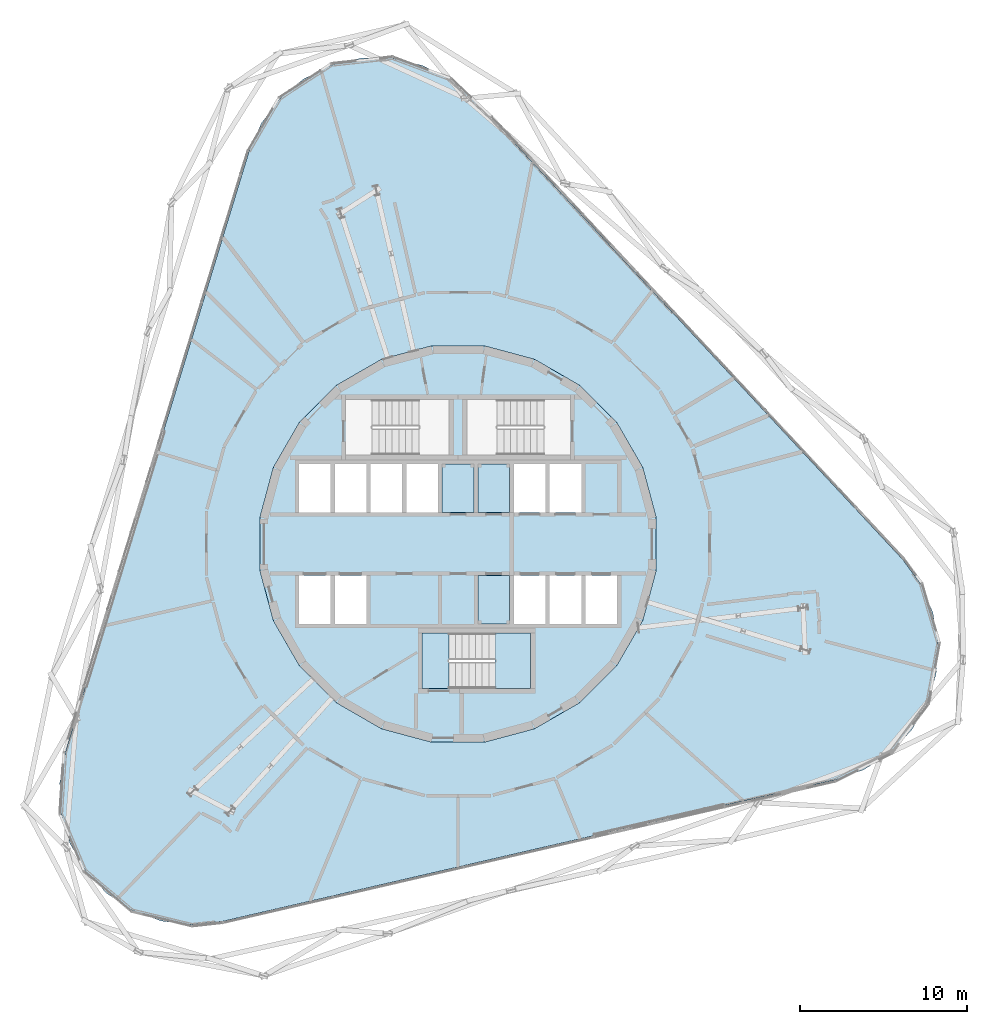
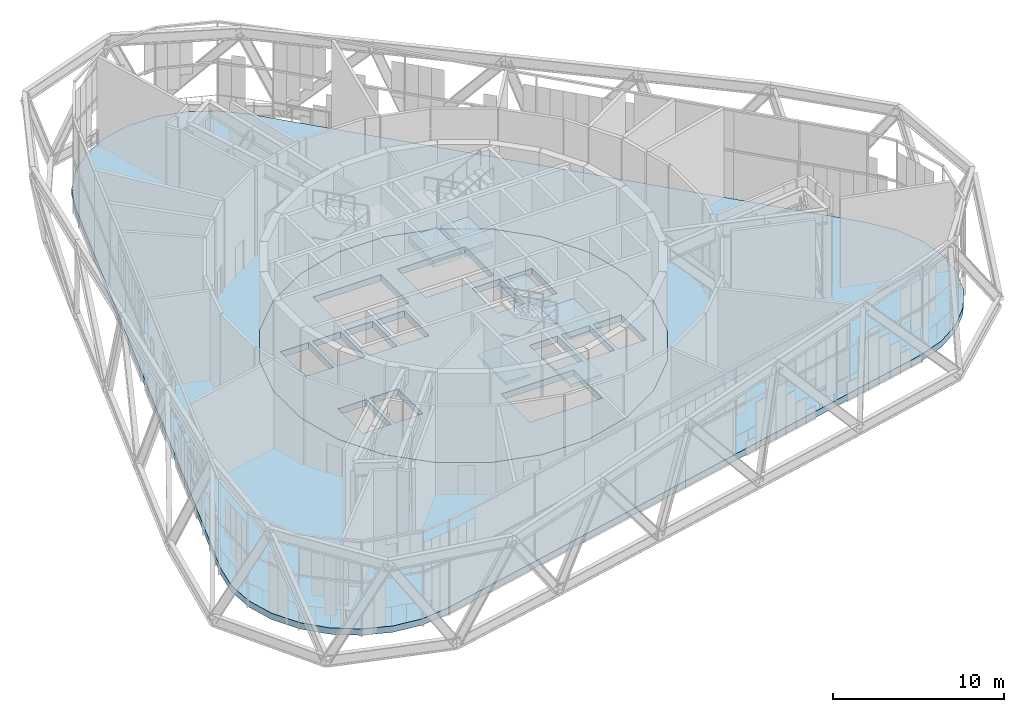
# One storey, part 12 of 25: 8 slabs, 1 element without a shape of its own.
"""IFC4 building model written with IfcOpenShell, lengths in metres."""

from ifc_helpers import new_model, si_unit, direction, frame, origin, place, context, subcontext, project, spatial, polyline, outline, extrude, material, layer, layer_set, type_object, element, aggregate, save


model = new_model("IFC4")

# Units and contexts
model_context = context("Model", 3, precision=1e-05, world=origin(), true_north=direction((0.0, 1.0)))
body_context = subcontext(model_context, "Body", "Model", "MODEL_VIEW")
ifc_project = project(units=[si_unit("LENGTHUNIT", "METRE"), si_unit("AREAUNIT", "SQUARE_METRE"), si_unit("VOLUMEUNIT", "CUBIC_METRE"), si_unit("PLANEANGLEUNIT", "RADIAN"), si_unit("MASSUNIT", "GRAM", prefix="KILO")], contexts=[model_context])

# Site, building, storey
site_placement = place(None, origin())
site = spatial("IfcSite", under=ifc_project, at=site_placement, CompositionType="ELEMENT")
building_placement = place(site_placement, origin())
building = spatial("IfcBuilding", under=site, at=building_placement, Name="Spindle Arch Residences", CompositionType="ELEMENT")
storey_placement = place(building_placement, frame((0.0, 0.0, 144.89990234375)))
storey = spatial("IfcBuildingStorey", under=building, at=storey_placement, Name="L36", CompositionType="ELEMENT", Elevation=144.89990234375)

# Slabs
ifc_material_1 = material(Name="Concrete C40/50", Category="concrete")
ifc_layer_1 = layer(ifc_material_1, 0.449951171875)
ifc_layer_set_1 = layer_set([ifc_layer_1], Name="Compartment floor slab 450")
slab_type_1 = type_object("IfcSlabType", Name="Compartment floor slab 450", PredefinedType="FLOOR", material=ifc_layer_set_1)
slab_1_placement = place(storey_placement, frame((0.0, 0.0, -0.449951171875)))
element("IfcSlab", 1, at=slab_1_placement, inside=storey, type_object=slab_type_1, Name="Floor slab L36", PredefinedType="FLOOR", context=body_context, shape_type="SweptSolid", body=[
    extrude(outline(polyline([(-14.130615234375, -22.650146484375), (-15.976806640625, -22.85498046875), (-17.8203125, -22.628662109375), (-19.56201171875, -21.983154296875), (-21.108154296875, -20.95361328125), (-22.375, -19.594970703125), (-23.294189453125, -17.98095703125), (-23.816650390625, -16.198486328125), (-23.913818359375, -14.343505859375), (-23.58056640625, -12.51611328125), (-12.55029296875, 23.5625), (-11.8046875, 25.263916015625), (-10.686767578125, 26.747314453125), (-9.257080078125, 27.932861328125), (-7.59228515625, 28.7568359375), (-5.7822265625, 29.1748046875), (-3.9248046875, 29.163818359375), (-2.1201171875, 28.72509765625), (-0.465087890625, 27.881591796875), (0.950927734375, 26.679443359375), (26.680908203125, -0.912353515625), (27.781494140625, -2.40869140625), (28.507080078125, -4.11865234375), (28.819091796875, -5.94970703125), (28.7001953125, -7.803466796875), (28.1572265625, -9.57958984375), (27.218994140625, -11.182861328125), (25.9365234375, -12.526611328125), (24.37890625, -13.5380859375), (22.629638671875, -14.163330078125), (4.24951171875, -18.40673828125), (-14.130615234375, -22.650146484375)]), holes=[polyline([(4.59228515625, -11.086669921875), (7.30517578125, -9.520263671875), (9.520263671875, -7.30517578125), (11.086669921875, -4.59228515625), (11.897216796875, -1.56640625), (11.897216796875, 1.56640625), (11.086669921875, 4.59228515625), (9.520263671875, 7.30517578125), (7.30517578125, 9.520263671875), (4.59228515625, 11.086669921875), (1.56640625, 11.897216796875), (-1.56640625, 11.897216796875), (-4.59228515625, 11.086669921875), (-7.30517578125, 9.520263671875), (-9.520263671875, 7.30517578125), (-11.086669921875, 4.59228515625), (-11.897216796875, 1.56640625), (-11.897216796875, -1.56640625), (-11.086669921875, -4.59228515625), (-9.520263671875, -7.30517578125), (-7.30517578125, -9.520263671875), (-4.59228515625, -11.086669921875), (-1.56640625, -11.897216796875), (1.56640625, -11.897216796875), (4.59228515625, -11.086669921875)])]), origin(), (0.0, 0.0, 1.0), 0.449951171875),
])
ifc_material_2 = material(Name="Concrete C50/60", Category="concrete")
ifc_layer_2 = layer(ifc_material_2, 0.449951171875)
ifc_layer_set_2 = layer_set([ifc_layer_2], Name="Core floor slab 450")
slab_type_2 = type_object("IfcSlabType", Name="Core floor slab 450", PredefinedType="FLOOR", material=ifc_layer_set_2)
slab_2_placement = place(storey_placement, frame((0.0, 0.0, -0.449951171875)))
element("IfcSlab", 2, at=slab_2_placement, inside=storey, type_object=slab_type_2, Name="Core floor L36", PredefinedType="FLOOR", context=body_context, shape_type="SweptSolid", body=[
    extrude(outline(polyline([(1.56640625, -11.897216796875), (4.59228515625, -11.086669921875), (7.30517578125, -9.520263671875), (9.520263671875, -7.30517578125), (11.086669921875, -4.59228515625), (11.897216796875, -1.56640625), (11.897216796875, 1.56640625), (11.086669921875, 4.59228515625), (9.520263671875, 7.30517578125), (7.30517578125, 9.520263671875), (4.59228515625, 11.086669921875), (1.56640625, 11.897216796875), (-1.56640625, 11.897216796875), (-4.59228515625, 11.086669921875), (-7.30517578125, 9.520263671875), (-9.520263671875, 7.30517578125), (-11.086669921875, 4.59228515625), (-11.897216796875, 1.56640625), (-11.897216796875, -1.56640625), (-11.086669921875, -4.59228515625), (-9.520263671875, -7.30517578125), (-7.30517578125, -9.520263671875), (-4.59228515625, -11.086669921875), (-1.56640625, -11.897216796875), (1.56640625, -11.897216796875)]), holes=[polyline([(-9.550048828125, 1.89990234375), (-7.64990234375, 1.89990234375), (-7.64990234375, 4.800048828125), (-9.550048828125, 4.800048828125), (-9.550048828125, 1.89990234375)]), polyline([(-7.39990234375, 1.89990234375), (-5.5, 1.89990234375), (-5.5, 4.800048828125), (-7.39990234375, 4.800048828125), (-7.39990234375, 1.89990234375)]), polyline([(-5.25, 1.89990234375), (-3.35009765625, 1.89990234375), (-3.35009765625, 4.800048828125), (-5.25, 4.800048828125), (-5.25, 1.89990234375)]), polyline([(-3.10009765625, 1.89990234375), (-1.199951171875, 1.89990234375), (-1.199951171875, 4.800048828125), (-3.10009765625, 4.800048828125), (-3.10009765625, 1.89990234375)]), polyline([(3.35009765625, 1.89990234375), (5.25, 1.89990234375), (5.25, 4.800048828125), (3.35009765625, 4.800048828125), (3.35009765625, 1.89990234375)]), polyline([(5.5, 1.89990234375), (7.39990234375, 1.89990234375), (7.39990234375, 4.800048828125), (5.5, 4.800048828125), (5.5, 1.89990234375)]), polyline([(-9.550048828125, -4.800048828125), (-7.64990234375, -4.800048828125), (-7.64990234375, -1.89990234375), (-9.550048828125, -1.89990234375), (-9.550048828125, -4.800048828125)]), polyline([(-7.39990234375, -4.800048828125), (-5.5, -4.800048828125), (-5.5, -1.89990234375), (-7.39990234375, -1.89990234375), (-7.39990234375, -4.800048828125)]), polyline([(3.35009765625, -4.800048828125), (5.25, -4.800048828125), (5.25, -1.89990234375), (3.35009765625, -1.89990234375), (3.35009765625, -4.800048828125)]), polyline([(5.5, -4.800048828125), (7.39990234375, -4.800048828125), (7.39990234375, -1.89990234375), (5.5, -1.89990234375), (5.5, -4.800048828125)]), polyline([(7.64990234375, -4.800048828125), (9.550048828125, -4.800048828125), (9.550048828125, -1.89990234375), (7.64990234375, -1.89990234375), (7.64990234375, -4.800048828125)]), polyline([(5.1298828125, 8.669921875), (0.550048828125, 8.669921875), (0.550048828125, 5.35009765625), (5.1298828125, 5.35009765625), (5.1298828125, 8.669921875)]), polyline([(-5.1298828125, 5.35009765625), (-0.550048828125, 5.35009765625), (-0.550048828125, 8.669921875), (-5.1298828125, 8.669921875), (-5.1298828125, 5.35009765625)]), polyline([(-0.530029296875, -8.669921875), (4.35009765625, -8.669921875), (4.35009765625, -5.35009765625), (-0.530029296875, -5.35009765625), (-0.530029296875, -8.669921875)])]), origin(), (0.0, 0.0, 1.0), 0.449951171875),
])

# Stair, slabs
ifc_material_3 = material(Name="Concrete C50/60", Category="concrete")
stair_type = type_object("IfcStairType", Name="Exit stair 32 risers", PredefinedType="HALF_TURN_STAIR", material=ifc_material_3)
stair_placement = place(storey_placement, origin())
stair = element("IfcStair", 3, at=stair_placement, inside=storey, type_object=stair_type, Name="L36 Exit stair ST3", PredefinedType="HALF_TURN_STAIR")
ifc_material_4 = material(Name="Concrete C50/60", Category="concrete")
ifc_layer_3 = layer(ifc_material_4, 0.219970703125)
ifc_layer_set_3 = layer_set([ifc_layer_3], Name="Exit stair landing 220")
slab_type_3 = type_object("IfcSlabType", Name="Exit stair landing 220", PredefinedType="LANDING", material=ifc_layer_set_3)
slab_3_placement = place(storey_placement, frame((0.0, 0.0, 1.47998046875)))
slab_3 = element("IfcSlab", 4, at=slab_3_placement, type_object=slab_type_3, Name="ST3 landing 1", PredefinedType="LANDING", context=body_context, shape_type="SweptSolid", body=[
    extrude(outline(polyline([(2.22998046875, -8.669921875), (4.35009765625, -8.669921875), (4.35009765625, -5.35009765625), (2.22998046875, -5.35009765625), (2.22998046875, -8.669921875)])), origin(), (0.0, 0.0, 1.0), 0.22021484375),
])
slab_4_placement = place(storey_placement, frame((0.0, 0.0, 3.18017578125)))
slab_4 = element("IfcSlab", 5, at=slab_4_placement, type_object=slab_type_3, Name="ST3 landing 2", PredefinedType="LANDING", context=body_context, shape_type="SweptSolid", body=[
    extrude(outline(polyline([(-2.14990234375, -8.669921875), (-0.530029296875, -8.669921875), (-0.530029296875, -5.35009765625), (-2.14990234375, -5.35009765625), (-2.14990234375, -8.669921875)])), origin(), (0.0, 0.0, 1.0), 0.219970703125),
])
slab_5_placement = place(storey_placement, frame((0.0, 0.0, 4.880126953125)))
slab_5 = element("IfcSlab", 6, at=slab_5_placement, type_object=slab_type_3, Name="ST3 landing 3", PredefinedType="LANDING", context=body_context, shape_type="SweptSolid", body=[
    extrude(outline(polyline([(2.22998046875, -8.669921875), (4.35009765625, -8.669921875), (4.35009765625, -5.35009765625), (2.22998046875, -5.35009765625), (2.22998046875, -8.669921875)])), origin(), (0.0, 0.0, 1.0), 0.219970703125),
])
aggregate(stair, [slab_3, slab_4, slab_5])

# Slabs
ifc_material_5 = material(Name="Concrete C50/60", Category="concrete")
ifc_layer_4 = layer(ifc_material_5, 0.449951171875)
ifc_layer_set_4 = layer_set([ifc_layer_4], Name="Lift pit floor slab 450")
slab_type_4 = type_object("IfcSlabType", Name="Lift pit floor slab 450", PredefinedType="FLOOR", material=ifc_layer_set_4)
slab_6_placement = place(storey_placement, frame((0.0, 0.0, 4.75)))
element("IfcSlab", 7, at=slab_6_placement, inside=storey, type_object=slab_type_4, Name="Lift pit floor M1", PredefinedType="FLOOR", context=body_context, shape_type="SweptSolid", body=[
    extrude(outline(polyline([(-0.949951171875, 1.89990234375), (0.949951171875, 1.89990234375), (0.949951171875, 4.800048828125), (-0.949951171875, 4.800048828125), (-0.949951171875, 1.89990234375)])), origin(), (0.0, 0.0, 1.0), 0.4501953125),
])
slab_7_placement = place(storey_placement, frame((0.0, 0.0, 4.75)))
element("IfcSlab", 8, at=slab_7_placement, inside=storey, type_object=slab_type_4, Name="Lift pit floor M2", PredefinedType="FLOOR", context=body_context, shape_type="SweptSolid", body=[
    extrude(outline(polyline([(1.199951171875, 1.89990234375), (3.10009765625, 1.89990234375), (3.10009765625, 4.800048828125), (1.199951171875, 4.800048828125), (1.199951171875, 1.89990234375)])), origin(), (0.0, 0.0, 1.0), 0.4501953125),
])
slab_8_placement = place(storey_placement, frame((0.0, 0.0, 4.75)))
element("IfcSlab", 9, at=slab_8_placement, inside=storey, type_object=slab_type_4, Name="Lift pit floor M3", PredefinedType="FLOOR", context=body_context, shape_type="SweptSolid", body=[
    extrude(outline(polyline([(1.199951171875, -4.800048828125), (3.10009765625, -4.800048828125), (3.10009765625, -1.89990234375), (1.199951171875, -1.89990234375), (1.199951171875, -4.800048828125)])), origin(), (0.0, 0.0, 1.0), 0.4501953125),
])

save(model, "model.ifc")
